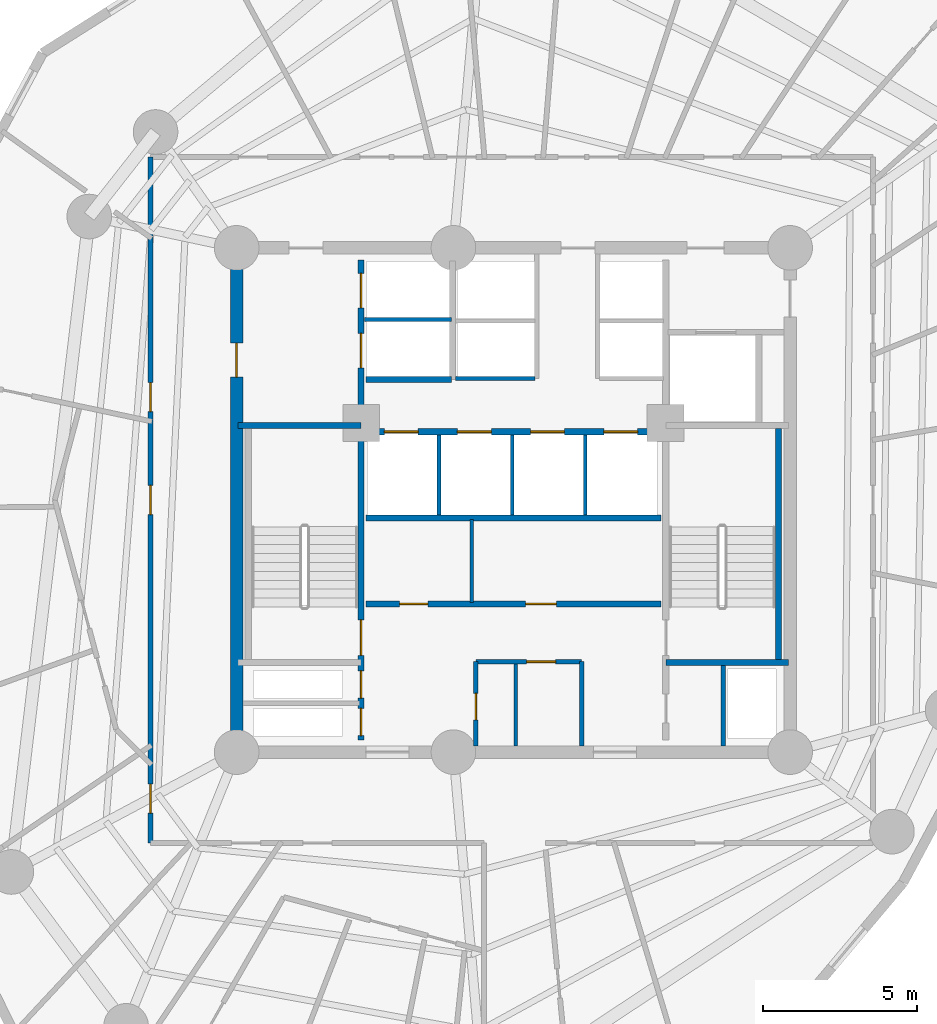
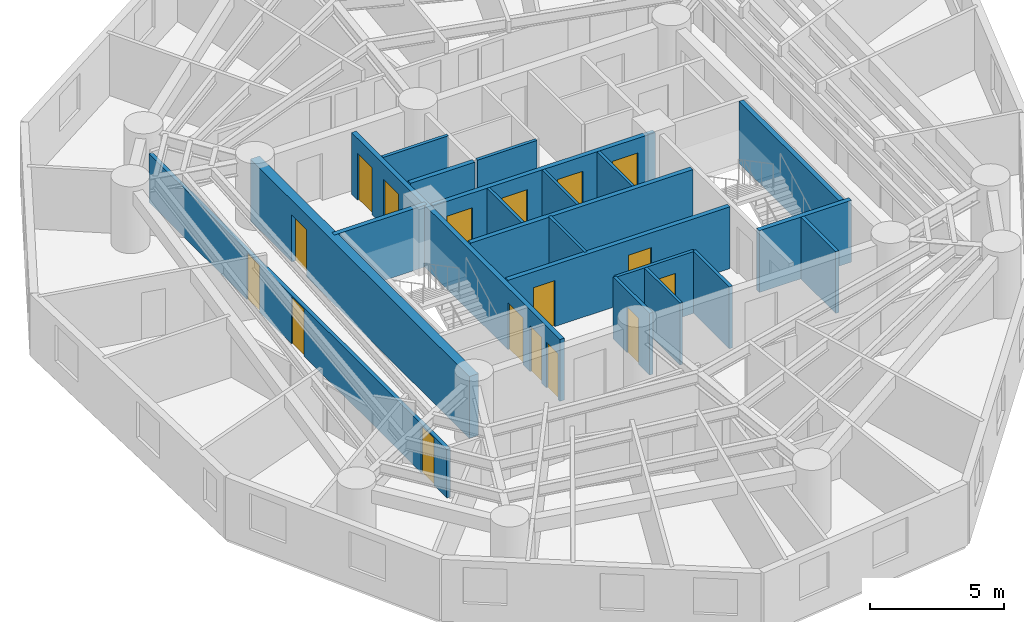
# One storey, part 4 of 8: 21 walls, 17 doors, 17 openings.
"""IFC4 building model written with IfcOpenShell, lengths in metres."""

from ifc_helpers import new_model, si_unit, direction, frame, frame_2d, origin, origin_with_axes, place, context, subcontext, project, spatial, rectangle, extrude, source, transform, mapped, material, layer, layer_set, type_object, element, fill, save


model = new_model("IFC4")

# Units and contexts
model_context = context("Model", 3, precision=1e-05, world=origin(), true_north=direction((0.0, 1.0)))
body_context = subcontext(model_context, "Body", "Model", "MODEL_VIEW")
ifc_project = project(units=[si_unit("LENGTHUNIT", "METRE"), si_unit("AREAUNIT", "SQUARE_METRE"), si_unit("VOLUMEUNIT", "CUBIC_METRE"), si_unit("PLANEANGLEUNIT", "RADIAN"), si_unit("MASSUNIT", "GRAM", prefix="KILO")], contexts=[model_context])

# Site, building, storey
site_placement = place(None, origin())
site = spatial("IfcSite", under=ifc_project, at=site_placement, CompositionType="ELEMENT")
building_placement = place(site_placement, origin())
building = spatial("IfcBuilding", under=site, at=building_placement, Name="Karkom Vertical University and Central Library", CompositionType="ELEMENT")
storey_placement = place(building_placement, frame((0.0, 0.0, 117.550048828125)))
storey = spatial("IfcBuildingStorey", under=building, at=storey_placement, Name="L32", CompositionType="ELEMENT", Elevation=117.550048828125)

# Wall, openings, doors
ifc_material_1 = material(Name="Insulated metal-stud drywall 160mm", Category="gypsum")
ifc_layer_1 = layer(ifc_material_1, 0.159912109375)
ifc_layer_set_1 = layer_set([ifc_layer_1], Name="Insulated metal-stud drywall 160mm")
wall_type_1 = type_object("IfcWallType", Name="INT-WL-COR-160", PredefinedType="PARTITIONING", material=ifc_layer_set_1)
wall_1_placement = place(storey_placement, frame((16.699951171875, 15.35009765625, 0.0), z_axis=(0.0, 0.0, 1.0), x_axis=(0.0, 1.0, 0.0)))
wall_1 = element("IfcWall", 1, at=wall_1_placement, inside=storey, type_object=wall_type_1, Name="Level 32 Interior Partition Wall L32-CORW-CW-002", PredefinedType="PARTITIONING", context=body_context, shape_type="SweptSolid", body=[
    extrude(rectangle(XDim=22.2998046875, YDim=0.159912109375, at=frame_2d((11.14990234375, 0.0))), origin(), (0.0, 0.0, 1.0), 2.224853515625),
])
opening_1_placement = place(wall_1_placement, frame((10.675048828125, 0.0, 0.0)))
opening_1 = element("IfcOpeningElement", 2, at=opening_1_placement, cuts=wall_1, Name="Opening D-RM1", PredefinedType="OPENING", context=body_context, shape_type="SweptSolid", body=[
    extrude(rectangle(XDim=0.949951171875, YDim=2.14990234375, at=frame_2d((0.47509765625, 1.074951171875))), frame((0.0, 0.08984375, 0.0), z_axis=(0.0, -1.0, 0.0), x_axis=(1.0, 0.0, 0.0)), (0.0, 0.0, 1.0), 0.179931640625),
])
opening_2_placement = place(wall_1_placement, frame((0.962890625, 0.0, 0.0)))
opening_2 = element("IfcOpeningElement", 3, at=opening_2_placement, cuts=wall_1, Name="Opening D-RM1", PredefinedType="OPENING", context=body_context, shape_type="SweptSolid", body=[
    extrude(rectangle(XDim=0.949951171875, YDim=2.14990234375, at=frame_2d((0.47509765625, 1.074951171875))), frame((0.0, 0.08984375, 0.0), z_axis=(0.0, -1.0, 0.0), x_axis=(1.0, 0.0, 0.0)), (0.0, 0.0, 1.0), 0.179931640625),
])
opening_3_placement = place(wall_1_placement, frame((14.02001953125, 0.0, 0.0)))
opening_3 = element("IfcOpeningElement", 4, at=opening_3_placement, cuts=wall_1, Name="Opening D-RM1", PredefinedType="OPENING", context=body_context, shape_type="SweptSolid", body=[
    extrude(rectangle(XDim=0.949951171875, YDim=2.14990234375, at=frame_2d((0.47509765625, 1.074951171875))), frame((0.0, 0.08984375, 0.0), z_axis=(0.0, -1.0, 0.0), x_axis=(1.0, 0.0, 0.0)), (0.0, 0.0, 1.0), 0.179931640625),
])
ifc_material_2 = material(Name="Solid-core oak veneer door", Category="wood")
door_type_1 = type_object("IfcDoorType", Name="INT-DR-RM1", OperationType="NOTDEFINED", PredefinedType="DOOR", material=ifc_material_2)
shared_shape_1 = source(origin_with_axes(), body_context, "Body", "SweptSolid", [
    extrude(rectangle(XDim=0.949951171875, YDim=2.14990234375, at=frame_2d((0.47509765625, 1.074951171875))), frame((0.0, 0.02490234375, 0.0), z_axis=(0.0, -1.0, 0.0), x_axis=(1.0, 0.0, 0.0)), (0.0, 0.0, 1.0), 0.050048828125),
])
door_1_placement = place(opening_1_placement, origin())
door_1 = element("IfcDoor", 5, at=door_1_placement, inside=storey, type_object=door_type_1, Name="Level 32 Room Entry Door 000", OperationType="SINGLE_SWING_LEFT", OverallHeight=2.14990234375, OverallWidth=0.949951171875, PredefinedType="DOOR", context=body_context, shape_type="MappedRepresentation", body=[
    mapped(shared_shape_1, transform((0.0, 0.0, 0.0), scale=1.0)),
])
fill(opening_1, door_1)
door_2_placement = place(opening_2_placement, origin())
door_2 = element("IfcDoor", 6, at=door_2_placement, inside=storey, type_object=door_type_1, Name="Level 32 Room Entry Door 030", OperationType="SINGLE_SWING_RIGHT", OverallHeight=2.14990234375, OverallWidth=0.949951171875, PredefinedType="DOOR", context=body_context, shape_type="MappedRepresentation", body=[
    mapped(shared_shape_1, transform((0.0, 0.0, 0.0), scale=1.0)),
])
fill(opening_2, door_2)
door_3_placement = place(opening_3_placement, origin())
door_3 = element("IfcDoor", 7, at=door_3_placement, inside=storey, type_object=door_type_1, Name="Level 32 Room Entry Door 260", OperationType="SINGLE_SWING_RIGHT", OverallHeight=2.14990234375, OverallWidth=0.949951171875, PredefinedType="DOOR", context=body_context, shape_type="MappedRepresentation", body=[
    mapped(shared_shape_1, transform((0.0, 0.0, 0.0), scale=1.0)),
])
fill(opening_3, door_3)

# Walls
ifc_material_3 = material(Name="Moisture-resistant drywall 120mm", Category="gypsum")
ifc_layer_2 = layer(ifc_material_3, 0.1201171875)
ifc_layer_set_2 = layer_set([ifc_layer_2], Name="Moisture-resistant drywall 120mm")
wall_type_2 = type_object("IfcWallType", Name="INT-WL-INT-120", PredefinedType="PARTITIONING", material=ifc_layer_set_2)
wall_2_placement = place(storey_placement, frame((27.14990234375, 23.169921875, 0.0), z_axis=(0.0, 0.0, 1.0), x_axis=(0.0, 1.0, 0.0)))
element("IfcWall", 8, at=wall_2_placement, inside=storey, type_object=wall_type_2, Name="Level 32 Interior Partition Wall L32-CW-B1-K2", PredefinedType="PARTITIONING", context=body_context, shape_type="SweptSolid", body=[
    extrude(rectangle(XDim=2.7001953125, YDim=0.1201171875, at=frame_2d((1.35009765625, 0.0))), origin(), (0.0, 0.0, 1.0), 2.824951171875),
])
wall_3_placement = place(storey_placement, frame((28.580078125, 18.507080078125, 0.0), z_axis=(0.0, 0.0, 1.0), x_axis=(0.0, 1.0, 0.0)))
element("IfcWall", 9, at=wall_3_placement, inside=storey, type_object=wall_type_2, Name="Level 32 Interior Partition Wall L32-CW-K2-DIV", PredefinedType="PARTITIONING", context=body_context, shape_type="SweptSolid", body=[
    extrude(rectangle(XDim=2.66162109375, YDim=0.1201171875, at=frame_2d((1.330810546875, 0.0))), origin(), (0.0, 0.0, 1.0), 2.824951171875),
])
ifc_layer_3 = layer(ifc_material_3, 0.1201171875)
ifc_layer_set_3 = layer_set([ifc_layer_3], Name="Moisture-resistant drywall 120mm")
wall_type_3 = type_object("IfcWallType", Name="INT-WL-INT-120H", PredefinedType="PARTITIONING", material=ifc_layer_set_3)
for number, where, z_axis, x_axis, name in (
    (10, (26.080078125, 26.02001953125, 0.0), (0.0, 0.0, 1.0), (0.0, 1.0, 0.0), "Level 32 Interior Partition Wall L32-CW-PM-DIV1"),
    (11, (28.4599609375, 26.02001953125, 0.0), (0.0, 0.0, 1.0), (0.0, 1.0, 0.0), "Level 32 Interior Partition Wall L32-CW-PM-DIV2"),
    (12, (30.840087890625, 26.02001953125, 0.0), (0.0, 0.0, 1.0), (0.0, 1.0, 0.0), "Level 32 Interior Partition Wall L32-CW-PM-DIV3"),
):
    element("IfcWall", number, at=place(storey_placement, frame(where, z_axis=z_axis, x_axis=x_axis)), inside=storey, type_object=wall_type_3, Name=name, PredefinedType="PARTITIONING", context=body_context, shape_type="SweptSolid", body=[
        extrude(rectangle(XDim=2.60009765625, YDim=0.1201171875, at=frame_2d((1.300048828125, 0.0))), origin(), (0.0, 0.0, 1.0), 2.824951171875),
    ])

# Wall, opening, door
ifc_material_4 = material(Name="Metal-stud gypsum partition 140mm", Category="gypsum")
ifc_layer_4 = layer(ifc_material_4, 0.139892578125)
ifc_layer_set_4 = layer_set([ifc_layer_4], Name="Metal-stud gypsum partition 140mm")
wall_type_4 = type_object("IfcWallType", Name="INT-WL-SUB-140", PredefinedType="PARTITIONING", material=ifc_layer_set_4)
wall_4_placement = place(storey_placement, frame((27.280029296875, 21.239990234375, 0.0), z_axis=(0.0, 0.0, 1.0), x_axis=(1.0, 0.0, 0.0)))
wall_4 = element("IfcWall", 13, at=wall_4_placement, inside=storey, type_object=wall_type_4, Name="Level 32 Interior Partition Wall L32-CW-KBAY-N", PredefinedType="PARTITIONING", context=body_context, shape_type="SweptSolid", body=[
    extrude(rectangle(XDim=3.43994140625, YDim=0.139892578125, at=frame_2d((1.719970703125, 0.0))), origin(), (0.0, 0.0, 1.0), 2.824951171875),
])
opening_4_placement = place(wall_4_placement, frame((1.64990234375, 0.0, 0.0)))
opening_4 = element("IfcOpeningElement", 14, at=opening_4_placement, cuts=wall_4, Name="Opening D-WC1", PredefinedType="OPENING", context=body_context, shape_type="SweptSolid", body=[
    extrude(rectangle(XDim=0.93994140625, YDim=2.10009765625, at=frame_2d((0.469970703125, 1.050048828125))), frame((0.0, 0.080078125, 0.0), z_axis=(0.0, -1.0, 0.0), x_axis=(1.0, 0.0, 0.0)), (0.0, 0.0, 1.0), 0.159912109375),
])
ifc_material_5 = material(Name="Fire-rated laminate moisture-resistant door", Category="wood")
door_type_2 = type_object("IfcDoorType", Name="INT-DR-WC1", OperationType="NOTDEFINED", PredefinedType="DOOR", material=ifc_material_5)
shared_shape_2 = source(origin_with_axes(), body_context, "Body", "SweptSolid", [
    extrude(rectangle(XDim=0.93994140625, YDim=2.10009765625, at=frame_2d((0.469970703125, 1.050048828125))), frame((0.0, 0.02490234375, 0.0), z_axis=(0.0, -1.0, 0.0), x_axis=(1.0, 0.0, 0.0)), (0.0, 0.0, 1.0), 0.050048828125),
])
door_4_placement = place(opening_4_placement, origin())
door_4 = element("IfcDoor", 15, at=door_4_placement, inside=storey, type_object=door_type_2, Name="Level 32 Staff WC Door", OperationType="SINGLE_SWING_LEFT", OverallHeight=2.10009765625, OverallWidth=0.93994140625, PredefinedType="DOOR", context=body_context, shape_type="MappedRepresentation", body=[
    mapped(shared_shape_2, transform((0.0, 0.0, 0.0), scale=1.0)),
])
fill(opening_4, door_4)

wall_5_placement = place(storey_placement, frame((27.280029296875, 18.507080078125, 0.0), z_axis=(0.0, 0.0, 1.0), x_axis=(0.0, 1.0, 0.0)))
wall_5 = element("IfcWall", 16, at=wall_5_placement, inside=storey, type_object=wall_type_4, Name="Level 32 Interior Partition Wall L32-CW-KBAY-W", PredefinedType="PARTITIONING", context=body_context, shape_type="SweptSolid", body=[
    extrude(rectangle(XDim=2.73291015625, YDim=0.139892578125, at=frame_2d((1.366455078125, 0.0))), origin(), (0.0, 0.0, 1.0), 2.824951171875),
])
opening_5_placement = place(wall_5_placement, frame((0.840087890625, 0.0, 0.0)))
opening_5 = element("IfcOpeningElement", 17, at=opening_5_placement, cuts=wall_5, Name="Opening D-BATH", PredefinedType="OPENING", context=body_context, shape_type="SweptSolid", body=[
    extrude(rectangle(XDim=0.860107421875, YDim=2.10009765625, at=frame_2d((0.43017578125, 1.050048828125))), frame((0.0, 0.080078125, 0.0), z_axis=(0.0, -1.0, 0.0), x_axis=(1.0, 0.0, 0.0)), (0.0, 0.0, 1.0), 0.159912109375),
])
ifc_material_6 = material(Name="Moisture-resistant oak door", Category="wood")
door_type_3 = type_object("IfcDoorType", Name="INT-DR-BATH", OperationType="NOTDEFINED", PredefinedType="DOOR", material=ifc_material_6)
shared_shape_3 = source(origin_with_axes(), body_context, "Body", "SweptSolid", [
    extrude(rectangle(XDim=0.860107421875, YDim=2.10009765625, at=frame_2d((0.43017578125, 1.050048828125))), frame((0.0, 0.02490234375, 0.0), z_axis=(0.0, -1.0, 0.0), x_axis=(1.0, 0.0, 0.0)), (0.0, 0.0, 1.0), 0.050048828125),
])
door_5_placement = place(opening_5_placement, origin())
door_5 = element("IfcDoor", 18, at=door_5_placement, inside=storey, type_object=door_type_3, Name="Level 32 Cleaners Store Door", OperationType="SINGLE_SWING_RIGHT", OverallHeight=2.10009765625, OverallWidth=0.860107421875, PredefinedType="DOOR", context=body_context, shape_type="MappedRepresentation", body=[
    mapped(shared_shape_3, transform((0.0, 0.0, 0.0), scale=1.0)),
])
fill(opening_5, door_5)

# Walls
wall_6_placement = place(storey_placement, frame((30.719970703125, 18.507080078125, 0.0), z_axis=(0.0, 0.0, 1.0), x_axis=(0.0, 1.0, 0.0)))
element("IfcWall", 19, at=wall_6_placement, inside=storey, type_object=wall_type_4, Name="Level 32 Interior Partition Wall L32-CW-KBAY-E", PredefinedType="PARTITIONING", context=body_context, shape_type="SweptSolid", body=[
    extrude(rectangle(XDim=2.73291015625, YDim=0.139892578125, at=frame_2d((1.366455078125, 0.0))), origin(), (0.0, 0.0, 1.0), 2.824951171875),
])
ifc_layer_5 = layer(ifc_material_4, 0.139892578125)
ifc_layer_set_5 = layer_set([ifc_layer_5], Name="Metal-stud gypsum partition 140mm")
wall_type_5 = type_object("IfcWallType", Name="INT-WL-SUB-140H", PredefinedType="PARTITIONING", material=ifc_layer_set_5)
wall_7_placement = place(storey_placement, frame((26.6201171875, 30.449951171875, 0.0), z_axis=(0.0, 0.0, 1.0), x_axis=(1.0, 0.0, 0.0)))
element("IfcWall", 20, at=wall_7_placement, inside=storey, type_object=wall_type_5, Name="Level 32 Interior Partition Wall L32-CW-PH-S1", PredefinedType="PARTITIONING", context=body_context, shape_type="SweptSolid", body=[
    extrude(rectangle(XDim=2.579833984375, YDim=0.139892578125, at=frame_2d((1.2900390625, 0.0))), origin(), (0.0, 0.0, 1.0), 2.824951171875),
])
wall_8_placement = place(storey_placement, frame((35.320068359375, 18.507080078125, 0.0), z_axis=(0.0, 0.0, 1.0), x_axis=(0.0, 1.0, 0.0)))
element("IfcWall", 21, at=wall_8_placement, inside=storey, type_object=wall_type_5, Name="Level 32 Interior Partition Wall L32-CW-RIS-E", PredefinedType="PARTITIONING", context=body_context, shape_type="SweptSolid", body=[
    extrude(rectangle(XDim=2.603759765625, YDim=0.139892578125, at=frame_2d((1.3017578125, 0.0))), origin(), (0.0, 0.0, 1.0), 2.824951171875),
])
ifc_layer_6 = layer(ifc_material_4, 0.139892578125)
ifc_layer_set_6 = layer_set([ifc_layer_6], Name="Metal-stud gypsum partition 140mm")
wall_type_6 = type_object("IfcWallType", Name="INT-WL-SUB-140X", PredefinedType="PARTITIONING", material=ifc_layer_set_6)
wall_9_placement = place(storey_placement, frame((23.652099609375, 32.3701171875, 0.0), z_axis=(0.0, 0.0, 1.0), x_axis=(1.0, 0.0, 0.0)))
element("IfcWall", 22, at=wall_9_placement, inside=storey, type_object=wall_type_6, Name="Level 32 Interior Partition Wall L32-CW-FFL-M", PredefinedType="PARTITIONING", context=body_context, shape_type="SweptSolid", body=[
    extrude(rectangle(XDim=2.827880859375, YDim=0.139892578125, at=frame_2d((1.4140625, 0.0))), origin(), (0.0, 0.0, 1.0), 2.824951171875),
])

# Wall, opening, door
ifc_material_7 = material(Name="Concrete C50/60", Category="concrete")
ifc_layer_7 = layer(ifc_material_7, 0.39990234375)
ifc_layer_set_7 = layer_set([ifc_layer_7], Name="Concrete C50/60")
wall_type_7 = type_object("IfcWallType", Name="STR-WL-CW-400", PredefinedType="SHEAR", material=ifc_layer_set_7)
wall_10_placement = place(storey_placement, frame((19.5, 34.699951171875, 0.0), z_axis=(0.0, 0.0, 1.0), x_axis=(0.0, -1.0, 0.0)))
wall_10 = element("IfcWall", 23, at=wall_10_placement, inside=storey, type_object=wall_type_7, Name="Level 32 Central Core Shear Wall WW", PredefinedType="SHEAR", context=body_context, shape_type="SweptSolid", body=[
    extrude(rectangle(XDim=16.39990234375, YDim=0.39990234375, at=frame_2d((8.199951171875, 0.0))), origin(), (0.0, 0.0, 1.0), 2.824951171875),
])
opening_6_placement = place(wall_10_placement, frame((3.10009765625, 0.0, 0.0)))
opening_6 = element("IfcOpeningElement", 24, at=opening_6_placement, cuts=wall_10, Name="Opening FD-FFL", PredefinedType="OPENING", context=body_context, shape_type="SweptSolid", body=[
    extrude(rectangle(XDim=1.10009765625, YDim=2.14990234375, at=frame_2d((0.550048828125, 1.074951171875))), frame((0.0, 0.2099609375, 0.0), z_axis=(0.0, -1.0, 0.0), x_axis=(1.0, 0.0, 0.0)), (0.0, 0.0, 1.0), 0.419921875),
])
ifc_material_8 = material(Name="Painted steel smoke-seal fire door", Category="steel")
door_type_4 = type_object("IfcDoorType", Name="INT-DR-FFL", OperationType="NOTDEFINED", PredefinedType="DOOR", material=ifc_material_8)
shared_shape_4 = source(origin_with_axes(), body_context, "Body", "SweptSolid", [
    extrude(rectangle(XDim=1.10009765625, YDim=2.14990234375, at=frame_2d((0.550048828125, 1.074951171875))), frame((0.0, 0.02490234375, 0.0), z_axis=(0.0, -1.0, 0.0), x_axis=(1.0, 0.0, 0.0)), (0.0, 0.0, 1.0), 0.050048828125),
])
door_6_placement = place(opening_6_placement, origin())
door_6 = element("IfcDoor", 25, at=door_6_placement, inside=storey, type_object=door_type_4, Name="Level 32 West Corridor Firefighting Lobby Door", OperationType="SINGLE_SWING_RIGHT", OverallHeight=2.14990234375, OverallWidth=1.10009765625, PredefinedType="DOOR", context=body_context, shape_type="MappedRepresentation", body=[
    mapped(shared_shape_4, transform((0.0, 0.0, 0.0), scale=1.0)),
])
fill(opening_6, door_6)

# Wall, openings, doors
ifc_material_9 = material(Name="Concrete C45/55", Category="concrete")
ifc_layer_8 = layer(ifc_material_9, 0.199951171875)
ifc_layer_set_8 = layer_set([ifc_layer_8], Name="Concrete C45/55")
wall_type_8 = type_object("IfcWallType", Name="STR-WL-ST-200", PredefinedType="SHEAR", material=ifc_layer_set_8)
wall_11_placement = place(storey_placement, frame((23.544921875, 18.699951171875, 0.0), z_axis=(0.0, 0.0, 1.0), x_axis=(0.0, 1.0, 0.0)))
wall_11 = element("IfcWall", 26, at=wall_11_placement, inside=storey, type_object=wall_type_8, Name="Level 32 Core Shaft Wall L32-CW-ST1-E", PredefinedType="SHEAR", context=body_context, shape_type="SweptSolid", body=[
    extrude(rectangle(XDim=15.60009765625, YDim=0.199951171875, at=frame_2d((7.800048828125, 0.0))), origin(), (0.0, 0.0, 1.0), 2.824951171875),
])
opening_7_placement = place(wall_11_placement, frame((2.75, 0.0, 0.0)))
opening_7 = element("IfcOpeningElement", 27, at=opening_7_placement, cuts=wall_11, Name="Opening FD-ST1", PredefinedType="OPENING", context=body_context, shape_type="SweptSolid", body=[
    extrude(rectangle(XDim=1.14990234375, YDim=2.14990234375, at=frame_2d((0.574951171875, 1.074951171875))), frame((0.0, 0.10986328125, 0.0), z_axis=(0.0, -1.0, 0.0), x_axis=(1.0, 0.0, 0.0)), (0.0, 0.0, 1.0), 0.219970703125),
])
opening_8_placement = place(wall_11_placement, frame((0.139892578125, 0.0, 0.0)))
opening_8 = element("IfcOpeningElement", 28, at=opening_8_placement, cuts=wall_11, Name="Opening FD-RIS", PredefinedType="OPENING", context=body_context, shape_type="SweptSolid", body=[
    extrude(rectangle(XDim=0.8798828125, YDim=2.10009765625, at=frame_2d((0.43994140625, 1.050048828125))), frame((0.0, 0.10986328125, 0.0), z_axis=(0.0, -1.0, 0.0), x_axis=(1.0, 0.0, 0.0)), (0.0, 0.0, 1.0), 0.219970703125),
])
opening_9_placement = place(wall_11_placement, frame((1.360107421875, 0.0, 0.0)))
opening_9 = element("IfcOpeningElement", 29, at=opening_9_placement, cuts=wall_11, Name="Opening FD-RIS", PredefinedType="OPENING", context=body_context, shape_type="SweptSolid", body=[
    extrude(rectangle(XDim=0.8798828125, YDim=2.10009765625, at=frame_2d((0.43994140625, 1.050048828125))), frame((0.0, 0.10986328125, 0.0), z_axis=(0.0, -1.0, 0.0), x_axis=(1.0, 0.0, 0.0)), (0.0, 0.0, 1.0), 0.219970703125),
])
opening_10_placement = place(wall_11_placement, frame((12.10009765625, 0.0, 0.0)))
opening_10 = element("IfcOpeningElement", 30, at=opening_10_placement, cuts=wall_11, Name="Opening LD-FFL", PredefinedType="OPENING", context=body_context, shape_type="SweptSolid", body=[
    extrude(rectangle(XDim=1.1201171875, YDim=2.14990234375, at=frame_2d((0.56005859375, 1.074951171875))), frame((0.0, 0.10986328125, 0.0), z_axis=(0.0, -1.0, 0.0), x_axis=(1.0, 0.0, 0.0)), (0.0, 0.0, 1.0), 0.219970703125),
])
opening_11_placement = place(wall_11_placement, frame((14.050048828125, 0.0, 0.0)))
opening_11 = element("IfcOpeningElement", 31, at=opening_11_placement, cuts=wall_11, Name="Opening LD-FFL", PredefinedType="OPENING", context=body_context, shape_type="SweptSolid", body=[
    extrude(rectangle(XDim=1.1201171875, YDim=2.14990234375, at=frame_2d((0.56005859375, 1.074951171875))), frame((0.0, 0.10986328125, 0.0), z_axis=(0.0, -1.0, 0.0), x_axis=(1.0, 0.0, 0.0)), (0.0, 0.0, 1.0), 0.219970703125),
])
ifc_material_10 = material(Name="Painted steel acoustic fire door", Category="steel")
door_type_5 = type_object("IfcDoorType", Name="INT-DR-ST1", OperationType="NOTDEFINED", PredefinedType="DOOR", material=ifc_material_10)
shared_shape_5 = source(origin_with_axes(), body_context, "Body", "SweptSolid", [
    extrude(rectangle(XDim=1.14990234375, YDim=2.14990234375, at=frame_2d((0.574951171875, 1.074951171875))), frame((0.0, 0.02490234375, 0.0), z_axis=(0.0, -1.0, 0.0), x_axis=(1.0, 0.0, 0.0)), (0.0, 0.0, 1.0), 0.050048828125),
])
door_7_placement = place(opening_7_placement, origin())
door_7 = element("IfcDoor", 32, at=door_7_placement, inside=storey, type_object=door_type_5, Name="Level 32 Stair ST-1 Fire Door", OperationType="SINGLE_SWING_LEFT", OverallHeight=2.14990234375, OverallWidth=1.14990234375, PredefinedType="DOOR", context=body_context, shape_type="MappedRepresentation", body=[
    mapped(shared_shape_5, transform((0.0, 0.0, 0.0), scale=1.0)),
])
fill(opening_7, door_7)
ifc_material_11 = material(Name="Painted steel riser access door", Category="steel")
door_type_6 = type_object("IfcDoorType", Name="INT-DR-RIS", OperationType="NOTDEFINED", PredefinedType="DOOR", material=ifc_material_11)
shared_shape_6 = source(origin_with_axes(), body_context, "Body", "SweptSolid", [
    extrude(rectangle(XDim=0.8798828125, YDim=2.10009765625, at=frame_2d((0.43994140625, 1.050048828125))), frame((0.0, 0.02490234375, 0.0), z_axis=(0.0, -1.0, 0.0), x_axis=(1.0, 0.0, 0.0)), (0.0, 0.0, 1.0), 0.050048828125),
])
door_8_placement = place(opening_8_placement, origin())
door_8 = element("IfcDoor", 33, at=door_8_placement, inside=storey, type_object=door_type_6, Name="Level 32 Electrical Riser Access Door", OperationType="SINGLE_SWING_LEFT", OverallHeight=2.10009765625, OverallWidth=0.8798828125, PredefinedType="DOOR", context=body_context, shape_type="MappedRepresentation", body=[
    mapped(shared_shape_6, transform((0.0, 0.0, 0.0), scale=1.0)),
])
fill(opening_8, door_8)
door_9_placement = place(opening_9_placement, origin())
door_9 = element("IfcDoor", 34, at=door_9_placement, inside=storey, type_object=door_type_6, Name="Level 32 Telecom Riser Access Door", OperationType="SINGLE_SWING_RIGHT", OverallHeight=2.10009765625, OverallWidth=0.8798828125, PredefinedType="DOOR", context=body_context, shape_type="MappedRepresentation", body=[
    mapped(shared_shape_6, transform((0.0, 0.0, 0.0), scale=1.0)),
])
fill(opening_9, door_9)
ifc_material_12 = material(Name="Fire-rated stainless-steel landing door", Category="steel")
door_type_7 = type_object("IfcDoorType", Name="INT-DR-LD-FFL", OperationType="SLIDING_TO_LEFT", PredefinedType="DOOR", material=ifc_material_12)
shared_shape_7 = source(origin_with_axes(), body_context, "Body", "SweptSolid", [
    extrude(rectangle(XDim=1.1201171875, YDim=2.14990234375, at=frame_2d((0.56005859375, 1.074951171875))), frame((0.0, 0.02490234375, 0.0), z_axis=(0.0, -1.0, 0.0), x_axis=(1.0, 0.0, 0.0)), (0.0, 0.0, 1.0), 0.050048828125),
])
door_10_placement = place(opening_10_placement, origin())
door_10 = element("IfcDoor", 35, at=door_10_placement, inside=storey, type_object=door_type_7, Name="Level 32 Firefighting Lift FFL-1 Landing Door", OperationType="SLIDING_TO_LEFT", OverallHeight=2.14990234375, OverallWidth=1.1201171875, PredefinedType="DOOR", context=body_context, shape_type="MappedRepresentation", body=[
    mapped(shared_shape_7, transform((0.0, 0.0, 0.0), scale=1.0)),
])
fill(opening_10, door_10)
door_11_placement = place(opening_11_placement, origin())
door_11 = element("IfcDoor", 36, at=door_11_placement, inside=storey, type_object=door_type_7, Name="Level 32 Firefighting Lift FFL-2 Landing Door", OperationType="SLIDING_TO_RIGHT", OverallHeight=2.14990234375, OverallWidth=1.1201171875, PredefinedType="DOOR", context=body_context, shape_type="MappedRepresentation", body=[
    mapped(shared_shape_7, transform((0.0, 0.0, 0.0), scale=1.0)),
])
fill(opening_11, door_11)

wall_12_placement = place(storey_placement, frame((23.699951171875, 23.1201171875, 0.0), z_axis=(0.0, 0.0, 1.0), x_axis=(1.0, 0.0, 0.0)))
wall_12 = element("IfcWall", 37, at=wall_12_placement, inside=storey, type_object=wall_type_8, Name="Level 32 Core Shaft Wall L32-CW-B1-S", PredefinedType="SHEAR", context=body_context, shape_type="SweptSolid", body=[
    extrude(rectangle(XDim=9.60009765625, YDim=0.199951171875, at=frame_2d((4.800048828125, 0.0))), origin(), (0.0, 0.0, 1.0), 2.824951171875),
])
opening_12_placement = place(wall_12_placement, frame((1.10009765625, 0.0, 0.0)))
opening_12 = element("IfcOpeningElement", 38, at=opening_12_placement, cuts=wall_12, Name="Opening D-SVC1", PredefinedType="OPENING", context=body_context, shape_type="SweptSolid", body=[
    extrude(rectangle(XDim=0.919921875, YDim=2.10009765625, at=frame_2d((0.4599609375, 1.050048828125))), frame((0.0, 0.10986328125, 0.0), z_axis=(0.0, -1.0, 0.0), x_axis=(1.0, 0.0, 0.0)), (0.0, 0.0, 1.0), 0.219970703125),
])
opening_13_placement = place(wall_12_placement, frame((5.199951171875, 0.0, 0.0)))
opening_13 = element("IfcOpeningElement", 39, at=opening_13_placement, cuts=wall_12, Name="Opening D-STR1", PredefinedType="OPENING", context=body_context, shape_type="SweptSolid", body=[
    extrude(rectangle(XDim=1.0, YDim=2.14990234375, at=frame_2d((0.5, 1.074951171875))), frame((0.0, 0.10986328125, 0.0), z_axis=(0.0, -1.0, 0.0), x_axis=(1.0, 0.0, 0.0)), (0.0, 0.0, 1.0), 0.219970703125),
])
ifc_material_13 = material(Name="Painted timber service door", Category="wood")
door_type_8 = type_object("IfcDoorType", Name="INT-DR-SVC1", OperationType="NOTDEFINED", PredefinedType="DOOR", material=ifc_material_13)
shared_shape_8 = source(origin_with_axes(), body_context, "Body", "SweptSolid", [
    extrude(rectangle(XDim=0.919921875, YDim=2.10009765625, at=frame_2d((0.4599609375, 1.050048828125))), frame((0.0, 0.02490234375, 0.0), z_axis=(0.0, -1.0, 0.0), x_axis=(1.0, 0.0, 0.0)), (0.0, 0.0, 1.0), 0.050048828125),
])
door_12_placement = place(opening_12_placement, origin())
door_12 = element("IfcDoor", 40, at=door_12_placement, inside=storey, type_object=door_type_8, Name="Level 32 B1 West Store Door", OperationType="SINGLE_SWING_RIGHT", OverallHeight=2.10009765625, OverallWidth=0.919921875, PredefinedType="DOOR", context=body_context, shape_type="MappedRepresentation", body=[
    mapped(shared_shape_8, transform((0.0, 0.0, 0.0), scale=1.0)),
])
fill(opening_12, door_12)
ifc_material_14 = material(Name="Solid-core hardwood fire door", Category="wood")
door_type_9 = type_object("IfcDoorType", Name="INT-DR-STR1", OperationType="NOTDEFINED", PredefinedType="DOOR", material=ifc_material_14)
shared_shape_9 = source(origin_with_axes(), body_context, "Body", "SweptSolid", [
    extrude(rectangle(XDim=1.0, YDim=2.14990234375, at=frame_2d((0.5, 1.074951171875))), frame((0.0, 0.02490234375, 0.0), z_axis=(0.0, -1.0, 0.0), x_axis=(1.0, 0.0, 0.0)), (0.0, 0.0, 1.0), 0.050048828125),
])
door_13_placement = place(opening_13_placement, origin())
door_13 = element("IfcDoor", 41, at=door_13_placement, inside=storey, type_object=door_type_9, Name="Level 32 B1 East Plant Door", OperationType="SINGLE_SWING_LEFT", OverallHeight=2.14990234375, OverallWidth=1.0, PredefinedType="DOOR", context=body_context, shape_type="MappedRepresentation", body=[
    mapped(shared_shape_9, transform((0.0, 0.0, 0.0), scale=1.0)),
])
fill(opening_13, door_13)

# Wall
wall_13_placement = place(storey_placement, frame((23.699951171875, 25.919921875, 0.0), z_axis=(0.0, 0.0, 1.0), x_axis=(1.0, 0.0, 0.0)))
element("IfcWall", 42, at=wall_13_placement, inside=storey, type_object=wall_type_8, Name="Level 32 Core Shaft Wall L32-CW-B1-N", PredefinedType="SHEAR", context=body_context, shape_type="SweptSolid", body=[
    extrude(rectangle(XDim=9.60009765625, YDim=0.199951171875, at=frame_2d((4.800048828125, 0.0))), origin(), (0.0, 0.0, 1.0), 2.824951171875),
])

# Wall, openings, doors
wall_14_placement = place(storey_placement, frame((23.699951171875, 28.719970703125, 0.0), z_axis=(0.0, 0.0, 1.0), x_axis=(1.0, 0.0, 0.0)))
wall_14 = element("IfcWall", 43, at=wall_14_placement, inside=storey, type_object=wall_type_8, Name="Level 32 Core Shaft Wall L32-CW-B2-N", PredefinedType="SHEAR", context=body_context, shape_type="SweptSolid", body=[
    extrude(rectangle(XDim=9.60009765625, YDim=0.199951171875, at=frame_2d((4.800048828125, 0.0))), origin(), (0.0, 0.0, 1.0), 2.824951171875),
])
opening_14_placement = place(wall_14_placement, frame((0.60009765625, 0.0, 0.0)))
opening_14 = element("IfcOpeningElement", 44, at=opening_14_placement, cuts=wall_14, Name="Opening LD-PAX", PredefinedType="OPENING", context=body_context, shape_type="SweptSolid", body=[
    extrude(rectangle(XDim=1.10009765625, YDim=2.14990234375, at=frame_2d((0.550048828125, 1.074951171875))), frame((0.0, 0.10986328125, 0.0), z_axis=(0.0, -1.0, 0.0), x_axis=(1.0, 0.0, 0.0)), (0.0, 0.0, 1.0), 0.219970703125),
])
opening_15_placement = place(wall_14_placement, frame((2.97998046875, 0.0, 0.0)))
opening_15 = element("IfcOpeningElement", 45, at=opening_15_placement, cuts=wall_14, Name="Opening LD-PAX", PredefinedType="OPENING", context=body_context, shape_type="SweptSolid", body=[
    extrude(rectangle(XDim=1.10009765625, YDim=2.14990234375, at=frame_2d((0.550048828125, 1.074951171875))), frame((0.0, 0.10986328125, 0.0), z_axis=(0.0, -1.0, 0.0), x_axis=(1.0, 0.0, 0.0)), (0.0, 0.0, 1.0), 0.219970703125),
])
opening_16_placement = place(wall_14_placement, frame((5.360107421875, 0.0, 0.0)))
opening_16 = element("IfcOpeningElement", 46, at=opening_16_placement, cuts=wall_14, Name="Opening LD-PAX", PredefinedType="OPENING", context=body_context, shape_type="SweptSolid", body=[
    extrude(rectangle(XDim=1.10009765625, YDim=2.14990234375, at=frame_2d((0.550048828125, 1.074951171875))), frame((0.0, 0.10986328125, 0.0), z_axis=(0.0, -1.0, 0.0), x_axis=(1.0, 0.0, 0.0)), (0.0, 0.0, 1.0), 0.219970703125),
])
opening_17_placement = place(wall_14_placement, frame((7.739990234375, 0.0, 0.0)))
opening_17 = element("IfcOpeningElement", 47, at=opening_17_placement, cuts=wall_14, Name="Opening LD-PAX", PredefinedType="OPENING", context=body_context, shape_type="SweptSolid", body=[
    extrude(rectangle(XDim=1.10009765625, YDim=2.14990234375, at=frame_2d((0.550048828125, 1.074951171875))), frame((0.0, 0.10986328125, 0.0), z_axis=(0.0, -1.0, 0.0), x_axis=(1.0, 0.0, 0.0)), (0.0, 0.0, 1.0), 0.219970703125),
])
ifc_material_15 = material(Name="Brushed stainless-steel landing door", Category="steel")
door_type_10 = type_object("IfcDoorType", Name="INT-DR-LD-PAX", OperationType="SLIDING_TO_LEFT", PredefinedType="DOOR", material=ifc_material_15)
door_14_placement = place(opening_14_placement, origin())
door_14 = element("IfcDoor", 48, at=door_14_placement, inside=storey, type_object=door_type_10, Name="Level 32 Lift PM-1 Landing Door", OperationType="SLIDING_TO_LEFT", OverallHeight=2.14990234375, OverallWidth=1.10009765625, PredefinedType="DOOR", context=body_context, shape_type="MappedRepresentation", body=[
    mapped(shared_shape_4, transform((0.0, 0.0, 0.0), scale=1.0)),
])
fill(opening_14, door_14)
door_15_placement = place(opening_15_placement, origin())
door_15 = element("IfcDoor", 49, at=door_15_placement, inside=storey, type_object=door_type_10, Name="Level 32 Lift PM-2 Landing Door", OperationType="SLIDING_TO_RIGHT", OverallHeight=2.14990234375, OverallWidth=1.10009765625, PredefinedType="DOOR", context=body_context, shape_type="MappedRepresentation", body=[
    mapped(shared_shape_4, transform((0.0, 0.0, 0.0), scale=1.0)),
])
fill(opening_15, door_15)
door_16_placement = place(opening_16_placement, origin())
door_16 = element("IfcDoor", 50, at=door_16_placement, inside=storey, type_object=door_type_10, Name="Level 32 Lift PM-3 Landing Door", OperationType="SLIDING_TO_LEFT", OverallHeight=2.14990234375, OverallWidth=1.10009765625, PredefinedType="DOOR", context=body_context, shape_type="MappedRepresentation", body=[
    mapped(shared_shape_4, transform((0.0, 0.0, 0.0), scale=1.0)),
])
fill(opening_16, door_16)
door_17_placement = place(opening_17_placement, origin())
door_17 = element("IfcDoor", 51, at=door_17_placement, inside=storey, type_object=door_type_10, Name="Level 32 Lift PM-4 Landing Door", OperationType="SLIDING_TO_RIGHT", OverallHeight=2.14990234375, OverallWidth=1.10009765625, PredefinedType="DOOR", context=body_context, shape_type="MappedRepresentation", body=[
    mapped(shared_shape_4, transform((0.0, 0.0, 0.0), scale=1.0)),
])
fill(opening_17, door_17)

# Walls
wall_15_placement = place(storey_placement, frame((37.125, 21.320068359375, 0.0), z_axis=(0.0, 0.0, 1.0), x_axis=(0.0, 1.0, 0.0)))
element("IfcWall", 52, at=wall_15_placement, inside=storey, type_object=wall_type_8, Name="Level 32 Core Shaft Wall L32-CW-ST2-E", PredefinedType="SHEAR", context=body_context, shape_type="SweptSolid", body=[
    extrude(rectangle(XDim=7.5, YDim=0.199951171875, at=frame_2d((3.75, 0.0))), origin(), (0.0, 0.0, 1.0), 2.824951171875),
])
for number, where, z_axis, x_axis, name in (
    (53, (33.455078125, 21.215087890625, 0.0), (0.0, 0.0, 1.0), (1.0, 0.0, 0.0), "Level 32 Core Shaft Wall L32-CW-ST2-S"),
    (54, (19.550048828125, 28.925048828125, 0.0), (0.0, 0.0, 1.0), (1.0, 0.0, 0.0), "Level 32 Core Shaft Wall L32-CW-ST1-N"),
):
    element("IfcWall", number, at=place(storey_placement, frame(where, z_axis=z_axis, x_axis=x_axis)), inside=storey, type_object=wall_type_8, Name=name, PredefinedType="SHEAR", context=body_context, shape_type="SweptSolid", body=[
        extrude(rectangle(XDim=3.994873046875, YDim=0.199951171875, at=frame_2d((1.99755859375, 0.0))), origin(), (0.0, 0.0, 1.0), 2.824951171875),
    ])
wall_16_placement = place(storey_placement, frame((23.699951171875, 30.419921875, 0.0), z_axis=(0.0, 0.0, 1.0), x_axis=(1.0, 0.0, 0.0)))
element("IfcWall", 55, at=wall_16_placement, inside=storey, type_object=wall_type_8, Name="Level 32 Core Shaft Wall L32-CW-FFL-S", PredefinedType="SHEAR", context=body_context, shape_type="SweptSolid", body=[
    extrude(rectangle(XDim=2.780029296875, YDim=0.199951171875, at=frame_2d((1.39013671875, 0.0))), origin(), (0.0, 0.0, 1.0), 2.824951171875),
])

save(model, "model.ifc")
